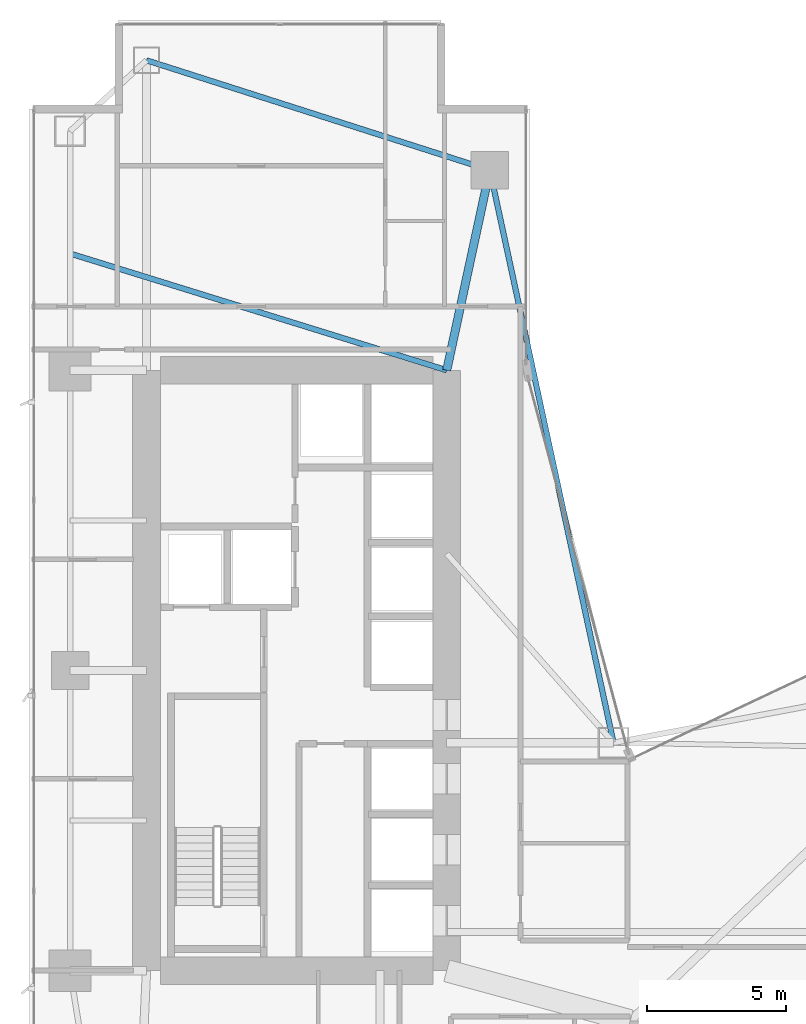
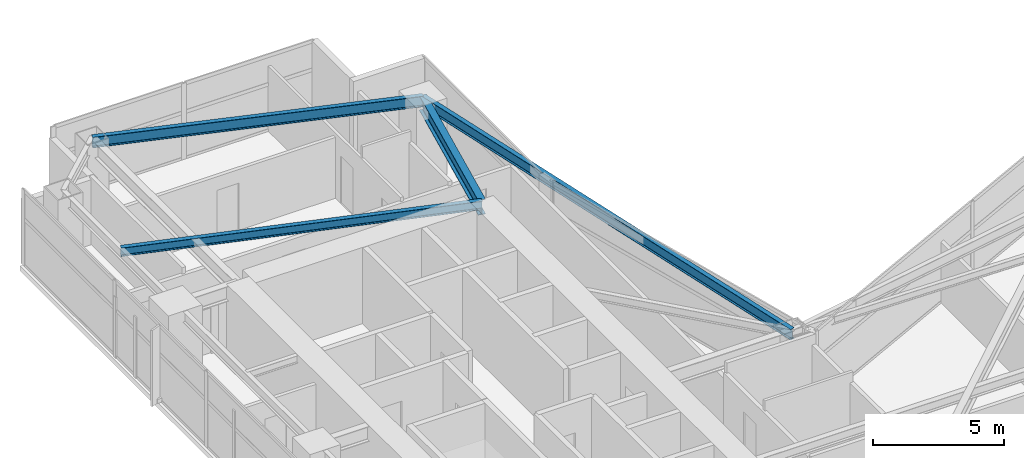
# One storey, part 17 of 29: 4 beams.
"""IFC4 building model written with IfcOpenShell, lengths in metres."""

from ifc_helpers import new_model, si_unit, direction, frame, origin, origin_2d, place, context, subcontext, project, spatial, i_section, extrude, material, material_profile, profile_set, type_object, element, save


model = new_model("IFC4")

# Units and contexts
model_context = context("Model", 3, precision=1e-05, world=origin(), true_north=direction((0.0, 1.0)))
body_context = subcontext(model_context, "Body", "Model", "MODEL_VIEW")
ifc_project = project(units=[si_unit("LENGTHUNIT", "METRE"), si_unit("AREAUNIT", "SQUARE_METRE"), si_unit("VOLUMEUNIT", "CUBIC_METRE"), si_unit("PLANEANGLEUNIT", "RADIAN"), si_unit("MASSUNIT", "GRAM", prefix="KILO")], contexts=[model_context])

# Site, building, storey
site_placement = place(None, origin())
site = spatial("IfcSite", under=ifc_project, at=site_placement, CompositionType="ELEMENT")
building_placement = place(site_placement, origin())
building = spatial("IfcBuilding", under=site, at=building_placement, Name="Calvorn Quay Hotel", CompositionType="ELEMENT")
storey_placement = place(building_placement, frame((0.0, 0.0, 81.199951171875)))
storey = spatial("IfcBuildingStorey", under=building, at=storey_placement, Name="L19", CompositionType="ELEMENT", Elevation=81.199951171875)

# Beams
ifc_material_1 = material(Name="Steel Q390GJC", Category="steel")
ifc_material_profile_1 = material_profile(ifc_material_1, i_section(OverallWidth=0.300048828125, OverallDepth=0.699951171875, WebThickness=0.012939453125, FlangeThickness=0.02392578125, FilletRadius=0.02392578125, at=origin_2d()), Name="HN700x300x13x24")
ifc_profile_set_1 = profile_set([ifc_material_profile_1], Name="Steel Q390GJC")
beam_type_1 = type_object("IfcBeamType", Name="BM-GIRD-MAIN", PredefinedType="BEAM", material=ifc_profile_set_1)
beam_1_placement = place(storey_placement, frame((16.550048828125, 45.60009765625, 3.18994140625), z_axis=(-0.210457140491, -0.97760308511, 0.0), x_axis=(0.97760308511, -0.210457140491, 0.0)))
element("IfcBeam", 1, at=beam_1_placement, inside=storey, type_object=beam_type_1, Name="Beam BG-L19-W6", PredefinedType="BEAM", context=body_context, shape_type="SweptSolid", body=[
    extrude(i_section(OverallWidth=0.300048828125, OverallDepth=0.699951171875, WebThickness=0.012939453125, FlangeThickness=0.02392578125, FilletRadius=0.02392578125, at=origin_2d()), origin(), (0.0, 0.0, 1.0), 7.365234375),
])
ifc_material_2 = material(Name="Steel Q355B", Category="steel")
ifc_material_profile_2 = material_profile(ifc_material_2, i_section(OverallWidth=0.199951171875, OverallDepth=0.39990234375, WebThickness=0.008056640625, FlangeThickness=0.012939453125, FilletRadius=0.01611328125, at=origin_2d()), Name="HN400x200x8x13")
ifc_profile_set_2 = profile_set([ifc_material_profile_2], Name="Steel Q355B")
beam_type_2 = type_object("IfcBeamType", Name="BM-JOIST-TYP", PredefinedType="JOIST", material=ifc_profile_set_2)
beam_2_placement = place(storey_placement, frame((1.449951171875, 42.60009765625, 3.340087890625), z_axis=(0.955163702122, -0.296078202759, 0.0), x_axis=(0.296078202759, 0.955163702122, 0.0)))
element("IfcBeam", 2, at=beam_2_placement, inside=storey, type_object=beam_type_2, Name="Beam BJ-L19-W2", PredefinedType="JOIST", context=body_context, shape_type="SweptSolid", body=[
    extrude(i_section(OverallWidth=0.199951171875, OverallDepth=0.39990234375, WebThickness=0.008056640625, FlangeThickness=0.012939453125, FilletRadius=0.01611328125, at=origin_2d()), origin(), (0.0, 0.0, 1.0), 14.18603515625),
])
ifc_material_3 = material(Name="Steel Q355B", Category="steel")
ifc_material_profile_3 = material_profile(ifc_material_3, i_section(OverallWidth=0.199951171875, OverallDepth=0.5, WebThickness=0.010009765625, FlangeThickness=0.01611328125, FilletRadius=0.01611328125, at=origin_2d()), Name="HN500x200x10x16")
ifc_profile_set_3 = profile_set([ifc_material_profile_3], Name="Steel Q355B")
beam_type_3 = type_object("IfcBeamType", Name="BM-SPANDREL-Z1", PredefinedType="SPANDREL", material=ifc_profile_set_3)
beam_3_placement = place(storey_placement, frame((4.199951171875, 49.550048828125, 3.2900390625), z_axis=(0.952470702374, -0.304630203885, 0.0), x_axis=(0.304630203885, 0.952470702374, 0.0)))
element("IfcBeam", 3, at=beam_3_placement, inside=storey, type_object=beam_type_3, Name="Beam BSP-L19-W6", PredefinedType="SPANDREL", context=body_context, shape_type="SweptSolid", body=[
    extrude(i_section(OverallWidth=0.199951171875, OverallDepth=0.5, WebThickness=0.010009765625, FlangeThickness=0.01611328125, FilletRadius=0.01611328125, at=origin_2d()), origin(), (0.0, 0.0, 1.0), 12.96630859375),
])
beam_4_placement = place(storey_placement, frame((16.550048828125, 45.60009765625, 3.2900390625), z_axis=(0.211145848376, -0.977454567084, 0.0), x_axis=(0.977454567084, 0.211145848376, 0.0)))
element("IfcBeam", 4, at=beam_4_placement, inside=storey, type_object=beam_type_3, Name="Beam BSP-L19-W7", PredefinedType="SPANDREL", context=body_context, shape_type="SweptSolid", body=[
    extrude(i_section(OverallWidth=0.199951171875, OverallDepth=0.5, WebThickness=0.010009765625, FlangeThickness=0.01611328125, FilletRadius=0.01611328125, at=origin_2d()), origin(), (0.0, 0.0, 1.0), 21.0751953125),
])

save(model, "model.ifc")
